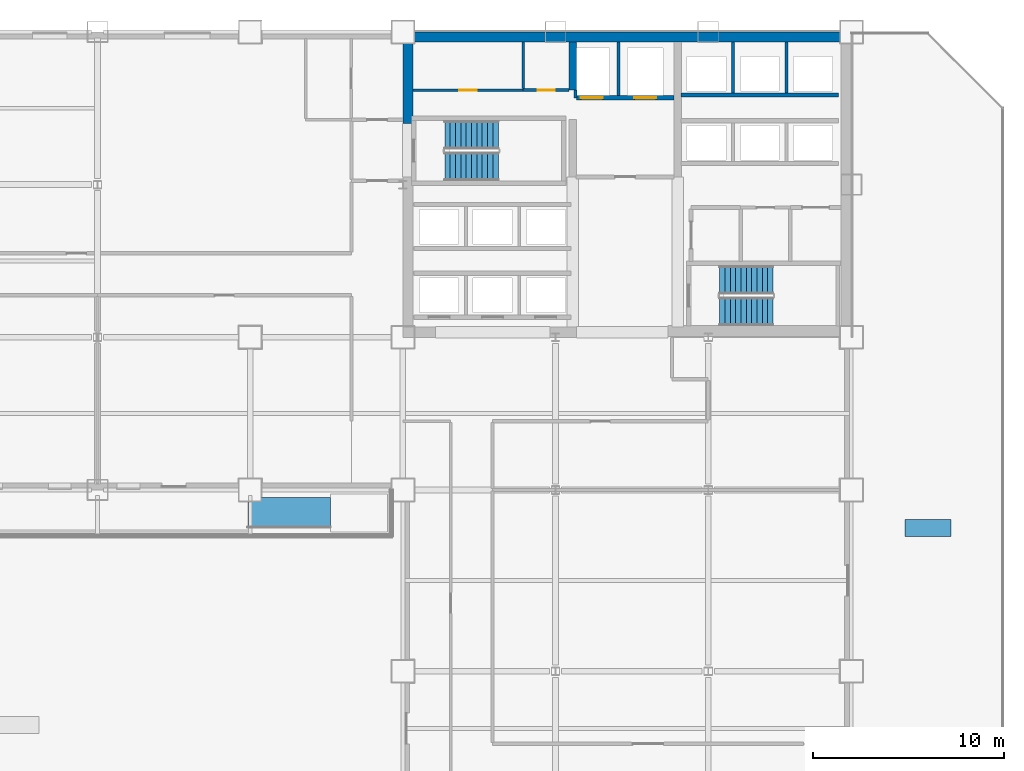
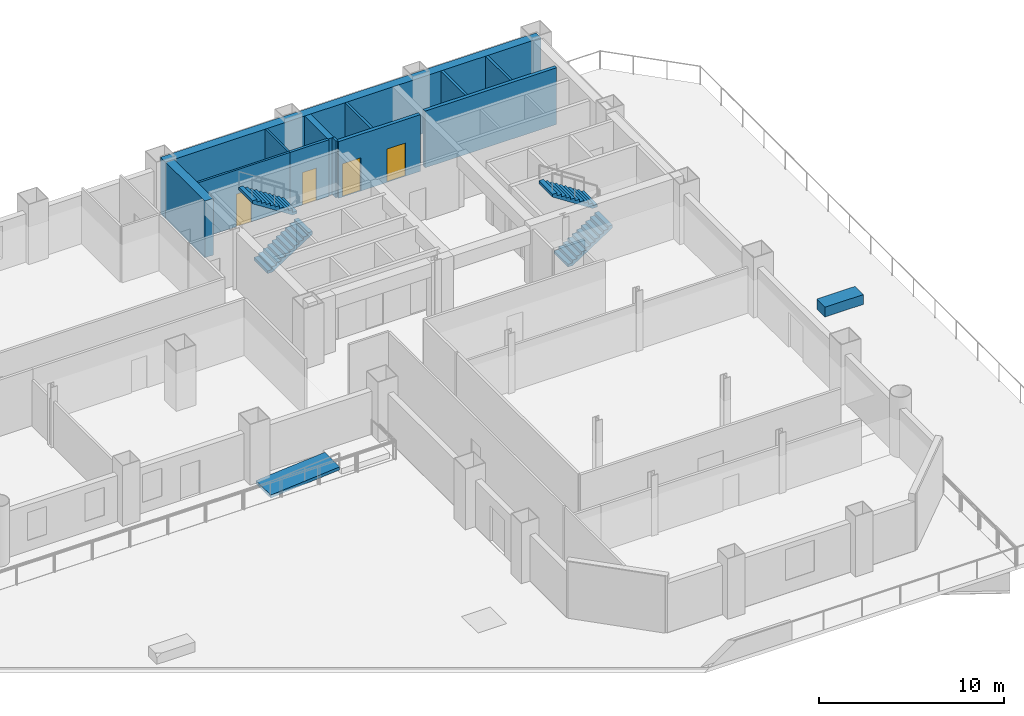
# One storey, part 7 of 11: 13 walls, 4 doors, 4 stair flights, 1 ramp flight, 4 openings, 3 elements without a shape of their own.
"""IFC4 building model written with IfcOpenShell, lengths in metres."""

from ifc_helpers import new_model, si_unit, direction, frame, frame_2d, origin, place, context, subcontext, project, spatial, polyline, rectangle, outline, extrude, material, layer, layer_set, type_object, element, fill, aggregate, save


model = new_model("IFC4")

# Units and contexts
model_context = context("Model", 3, precision=1e-05, world=origin(), true_north=direction((0.0, 1.0)))
body_context = subcontext(model_context, "Body", "Model", "MODEL_VIEW")
ifc_project = project(units=[si_unit("LENGTHUNIT", "METRE"), si_unit("AREAUNIT", "SQUARE_METRE"), si_unit("VOLUMEUNIT", "CUBIC_METRE"), si_unit("PLANEANGLEUNIT", "RADIAN"), si_unit("MASSUNIT", "GRAM", prefix="KILO")], contexts=[model_context])

# Site, building, storey
site_placement = place(None, origin())
site = spatial("IfcSite", under=ifc_project, at=site_placement, CompositionType="ELEMENT")
building_placement = place(site_placement, origin())
building = spatial("IfcBuilding", under=site, at=building_placement, Name="Qianrong Seaharbour Tower", CompositionType="ELEMENT")
storey_placement = place(building_placement, frame((0.0, 0.0, 28.199951171875)))
storey = spatial("IfcBuildingStorey", under=building, at=storey_placement, Name="L06", CompositionType="ELEMENT", Elevation=28.199951171875)

# Walls
ifc_material_1 = material(Name="Concrete C70/85", Category="concrete")
ifc_layer_1 = layer(ifc_material_1, 0.5400390625)
ifc_layer_set_1 = layer_set([ifc_layer_1], Name="Concrete C70/85")
wall_type_1 = type_object("IfcWallType", Name="WALL-CORE-540", PredefinedType="SHEAR", material=ifc_layer_set_1)
wall_1_placement = place(storey_placement, frame((40.5, 51.72998046875, 0.0), z_axis=(0.0, 0.0, 1.0), x_axis=(1.0, 0.0, 0.0)))
element("IfcWall", 1, at=wall_1_placement, inside=storey, type_object=wall_type_1, Name="L06 North Core Shear Wall", PredefinedType="SHEAR", context=body_context, shape_type="SweptSolid", body=[
    extrude(rectangle(XDim=23.5, YDim=0.5400390625, at=frame_2d((11.75, 0.0))), origin(), (0.0, 0.0, 1.0), 3.75),
])
wall_2_placement = place(storey_placement, frame((40.77001953125, 47.199951171875, 0.0), z_axis=(0.0, 0.0, 1.0), x_axis=(0.0, 1.0, 0.0)))
element("IfcWall", 2, at=wall_2_placement, inside=storey, type_object=wall_type_1, Name="L06 West Core Shear Wall North", PredefinedType="SHEAR", context=body_context, shape_type="SweptSolid", body=[
    extrude(rectangle(XDim=4.260009765625, YDim=0.5400390625, at=frame_2d((2.1298828125, 0.0))), origin(), (0.0, 0.0, 1.0), 3.75),
])
ifc_material_2 = material(Name="Concrete C60/75", Category="concrete")
ifc_layer_2 = layer(ifc_material_2, 0.3798828125)
ifc_layer_set_2 = layer_set([ifc_layer_2], Name="Concrete C60/75")
wall_type_2 = type_object("IfcWallType", Name="WALL-CORE-INT-380", PredefinedType="SHEAR", material=ifc_layer_set_2)
wall_3_placement = place(storey_placement, frame((49.39990234375, 48.949951171875, 0.0), z_axis=(0.0, 0.0, 1.0), x_axis=(0.0, 1.0, 0.0)))
element("IfcWall", 3, at=wall_3_placement, inside=storey, type_object=wall_type_2, Name="L06 Internal Core Shear Wall IW1N2", PredefinedType="SHEAR", context=body_context, shape_type="SweptSolid", body=[
    extrude(rectangle(XDim=2.510009765625, YDim=0.3798828125, at=frame_2d((1.2548828125, 0.0))), origin(), (0.0, 0.0, 1.0), 3.75),
])

# Wall, opening, door
ifc_material_3 = material(Name="Fire-rated acoustic gypsum board partition")
ifc_layer_3 = layer(ifc_material_3, 0.1650390625)
ifc_layer_set_3 = layer_set([ifc_layer_3], Name="Fire-rated acoustic gypsum board partition")
wall_type_3 = type_object("IfcWallType", Name="WALL-CORR-PART-165", PredefinedType="PARTITIONING", material=ifc_layer_set_3)
wall_4_placement = place(storey_placement, frame((46.800048828125, 48.949951171875, 0.0), z_axis=(0.0, 0.0, 1.0), x_axis=(1.0, 0.0, 0.0)))
wall_4 = element("IfcWall", 4, at=wall_4_placement, inside=storey, type_object=wall_type_3, Name="L06 Interior Partition Wall 008", PredefinedType="PARTITIONING", context=body_context, shape_type="SweptSolid", body=[
    extrude(rectangle(XDim=2.41796875, YDim=0.1650390625, at=frame_2d((1.208984375, 0.0))), origin(), (0.0, 0.0, 1.0), 3.75),
])
opening_1_placement = place(wall_4_placement, frame((0.759033203125, 0.0, 0.0)))
opening_1 = element("IfcOpeningElement", 5, at=opening_1_placement, cuts=wall_4, Name="Opening DS-01", PredefinedType="OPENING", context=body_context, shape_type="SweptSolid", body=[
    extrude(rectangle(XDim=0.89990234375, YDim=2.14990234375, at=frame_2d((0.449951171875, 1.074951171875))), frame((0.0, 0.092529296875, 0.0), z_axis=(0.0, -1.0, 0.0), x_axis=(1.0, 0.0, 0.0)), (0.0, 0.0, 1.0), 0.18505859375),
])
ifc_material_4 = material(Name="Acoustic timber and galvanized steel fire door assembly", Category="steel")
door_type_1 = type_object("IfcDoorType", Name="DOOR-STORE-900x2150", OperationType="NOTDEFINED", PredefinedType="DOOR", material=ifc_material_4)
door_1_placement = place(opening_1_placement, origin())
door_1 = element("IfcDoor", 6, at=door_1_placement, inside=storey, type_object=door_type_1, Name="L06 Janitor Store Room Door", OperationType="SINGLE_SWING_RIGHT", OverallHeight=2.14990234375, OverallWidth=0.89990234375, PredefinedType="DOOR", context=body_context, shape_type="SweptSolid", body=[
    extrude(rectangle(XDim=0.89990234375, YDim=2.14990234375, at=frame_2d((0.449951171875, 1.074951171875))), frame((0.0, 0.02490234375, 0.0), z_axis=(0.0, -1.0, 0.0), x_axis=(1.0, 0.0, 0.0)), (0.0, 0.0, 1.0), 0.050048828125),
])
fill(opening_1, door_1)

# Walls
ifc_material_5 = material(Name="White architectural precast concrete C45/55", Category="concrete")
ifc_layer_4 = layer(ifc_material_5, 0.89990234375)
ifc_layer_set_4 = layer_set([ifc_layer_4], Name="White architectural precast concrete C45/55")
wall_type_4 = type_object("IfcWallType", Name="WALL-PLANTER-KERB-210", PredefinedType="PARAPET", material=ifc_layer_set_4)
wall_5_placement = place(storey_placement, frame((66.81005859375, 26.0, 0.0), z_axis=(0.0, 0.0, 1.0), x_axis=(1.0, 0.0, 0.0)))
element("IfcWall", 7, at=wall_5_placement, inside=storey, type_object=wall_type_4, Name="L06 Sky Garden Structural Planter PLANTER 2", PredefinedType="PARAPET", context=body_context, shape_type="SweptSolid", body=[
    extrude(rectangle(XDim=2.39990234375, YDim=0.89990234375, at=frame_2d((1.199951171875, 0.0))), origin(), (0.0, 0.0, 1.0), 0.650146484375),
])
ifc_material_6 = material(Name="Fire-rated gypsum board on steel studs", Category="steel")
ifc_layer_5 = layer(ifc_material_6, 0.14990234375)
ifc_layer_set_5 = layer_set([ifc_layer_5], Name="Fire-rated gypsum board on steel studs")
wall_type_5 = type_object("IfcWallType", Name="WALL-SHAFT-DIV-150", PredefinedType="PARTITIONING", material=ifc_layer_set_5)
wall_6_placement = place(storey_placement, frame((51.800048828125, 48.669921875, 0.0), z_axis=(0.0, 0.0, 1.0), x_axis=(0.0, 1.0, 0.0)))
element("IfcWall", 8, at=wall_6_placement, inside=storey, type_object=wall_type_5, Name="L06 Firefighting Lift Shaft Divider Wall", PredefinedType="PARTITIONING", context=body_context, shape_type="SweptSolid", body=[
    extrude(rectangle(XDim=2.7900390625, YDim=0.14990234375, at=frame_2d((1.39501953125, 0.0))), origin(), (0.0, 0.0, 1.0), 3.75),
])
wall_7_placement = place(storey_placement, frame((49.550048828125, 48.550048828125, 0.0), z_axis=(0.0, 0.0, 1.0), x_axis=(0.0, 1.0, 0.0)))
element("IfcWall", 9, at=wall_7_placement, inside=storey, type_object=wall_type_5, Name="L06 Firefighting Lift Shaft West Return Wall", PredefinedType="PARTITIONING", context=body_context, shape_type="SweptSolid", body=[
    extrude(rectangle(XDim=0.39990234375, YDim=0.14990234375, at=frame_2d((0.199951171875, 0.0))), origin(), (0.0, 0.0, 1.0), 3.75),
])
for number, where, z_axis, x_axis, name in (
    (10, (57.800048828125, 48.81005859375, 0.0), (0.0, 0.0, 1.0), (0.0, 1.0, 0.0), "L06 P4 Lift Hoistway Divider 2"),
    (11, (60.60009765625, 48.81005859375, 0.0), (0.0, 0.0, 1.0), (0.0, 1.0, 0.0), "L06 P4 Lift Hoistway Divider 3"),
):
    element("IfcWall", number, at=place(storey_placement, frame(where, z_axis=z_axis, x_axis=x_axis)), inside=storey, type_object=wall_type_5, Name=name, PredefinedType="PARTITIONING", context=body_context, shape_type="SweptSolid", body=[
        extrude(rectangle(XDim=2.64990234375, YDim=0.14990234375, at=frame_2d((1.324951171875, 0.0))), origin(), (0.0, 0.0, 1.0), 3.75),
    ])

# Wall, openings, doors
ifc_layer_6 = layer(ifc_material_6, 0.219970703125)
ifc_layer_set_6 = layer_set([ifc_layer_6], Name="Fire-rated gypsum board on steel studs")
wall_type_6 = type_object("IfcWallType", Name="WALL-SHAFT-GYP220", PredefinedType="PARTITIONING", material=ifc_layer_set_6)
wall_8_placement = place(storey_placement, frame((54.7099609375, 48.550048828125, 0.0), z_axis=(0.0, 0.0, 1.0), x_axis=(-1.0, 0.0, 0.0)))
wall_8 = element("IfcWall", 12, at=wall_8_placement, inside=storey, type_object=wall_type_6, Name="L06 Firefighting Lift Shaft Front Wall", PredefinedType="PARTITIONING", context=body_context, shape_type="SweptSolid", body=[
    extrude(rectangle(XDim=5.119873046875, YDim=0.219970703125, at=frame_2d((2.56005859375, 0.0))), origin(), (0.0, 0.0, 1.0), 3.75),
])
opening_2_placement = place(wall_8_placement, frame((3.735107421875, 0.0, 0.0)))
opening_2 = element("IfcOpeningElement", 13, at=opening_2_placement, cuts=wall_8, Name="Opening LD-01", PredefinedType="OPENING", context=body_context, shape_type="SweptSolid", body=[
    extrude(rectangle(XDim=1.14990234375, YDim=2.199951171875, at=frame_2d((0.574951171875, 1.10009765625))), frame((0.0, 0.1201171875, 0.0), z_axis=(0.0, -1.0, 0.0), x_axis=(1.0, 0.0, 0.0)), (0.0, 0.0, 1.0), 0.239990234375),
])
opening_3_placement = place(wall_8_placement, frame((0.93505859375, 0.0, 0.0)))
opening_3 = element("IfcOpeningElement", 14, at=opening_3_placement, cuts=wall_8, Name="Opening LD-01", PredefinedType="OPENING", context=body_context, shape_type="SweptSolid", body=[
    extrude(rectangle(XDim=1.14990234375, YDim=2.199951171875, at=frame_2d((0.574951171875, 1.10009765625))), frame((0.0, 0.1201171875, 0.0), z_axis=(0.0, -1.0, 0.0), x_axis=(1.0, 0.0, 0.0)), (0.0, 0.0, 1.0), 0.239990234375),
])
ifc_material_7 = material(Name="Stainless steel SUS316L bi-parting lift landing door", Category="steel")
door_type_2 = type_object("IfcDoorType", Name="DOOR-LIFT-FF-1150x2200", OperationType="DOUBLE_DOOR_SLIDING", PredefinedType="DOOR", material=ifc_material_7)
door_2_placement = place(opening_2_placement, origin())
door_2 = element("IfcDoor", 15, at=door_2_placement, inside=storey, type_object=door_type_2, Name="L06 FL-1 Firefighting Lift Landing Door", OperationType="DOUBLE_DOOR_SLIDING", OverallHeight=2.199951171875, OverallWidth=1.14990234375, PredefinedType="DOOR", context=body_context, shape_type="SweptSolid", body=[
    extrude(rectangle(XDim=1.14990234375, YDim=2.199951171875, at=frame_2d((0.574951171875, 1.10009765625))), frame((0.0, 0.02490234375, 0.0), z_axis=(0.0, -1.0, 0.0), x_axis=(1.0, 0.0, 0.0)), (0.0, 0.0, 1.0), 0.050048828125),
])
fill(opening_2, door_2)
door_3_placement = place(opening_3_placement, origin())
door_3 = element("IfcDoor", 16, at=door_3_placement, inside=storey, type_object=door_type_2, Name="L06 FL-2 Firefighting Lift Landing Door", OperationType="DOUBLE_DOOR_SLIDING", OverallHeight=2.199951171875, OverallWidth=1.14990234375, PredefinedType="DOOR", context=body_context, shape_type="SweptSolid", body=[
    extrude(rectangle(XDim=1.14990234375, YDim=2.199951171875, at=frame_2d((0.574951171875, 1.10009765625))), frame((0.0, 0.02490234375, 0.0), z_axis=(0.0, -1.0, 0.0), x_axis=(1.0, 0.0, 0.0)), (0.0, 0.0, 1.0), 0.050048828125),
])
fill(opening_3, door_3)

# Wall
wall_9_placement = place(storey_placement, frame((63.320068359375, 48.699951171875, 0.0), z_axis=(0.0, 0.0, 1.0), x_axis=(-1.0, 0.0, 0.0)))
element("IfcWall", 17, at=wall_9_placement, inside=storey, type_object=wall_type_6, Name="L06 P4 Lift Hoistway Front Wall", PredefinedType="PARTITIONING", context=body_context, shape_type="SweptSolid", body=[
    extrude(rectangle(XDim=8.239990234375, YDim=0.219970703125, at=frame_2d((4.1201171875, 0.0))), origin(), (0.0, 0.0, 1.0), 3.75),
])

# Wall, opening, door
ifc_material_8 = material(Name="Water-resistant cement board sanitary partition")
ifc_layer_7 = layer(ifc_material_8, 0.1298828125)
ifc_layer_set_7 = layer_set([ifc_layer_7], Name="Water-resistant cement board sanitary partition")
wall_type_7 = type_object("IfcWallType", Name="WALL-WET-PART-130", PredefinedType="PARTITIONING", material=ifc_layer_set_7)
wall_10_placement = place(storey_placement, frame((41.0400390625, 48.949951171875, 0.0), z_axis=(0.0, 0.0, 1.0), x_axis=(1.0, 0.0, 0.0)))
wall_10 = element("IfcWall", 18, at=wall_10_placement, inside=storey, type_object=wall_type_7, Name="L06 Interior Partition Wall 007", PredefinedType="PARTITIONING", context=body_context, shape_type="SweptSolid", body=[
    extrude(rectangle(XDim=5.760009765625, YDim=0.1298828125, at=frame_2d((2.8798828125, 0.0))), origin(), (0.0, 0.0, 1.0), 3.75),
])
opening_4_placement = place(wall_10_placement, frame((2.419921875, 0.0, 0.0)))
opening_4 = element("IfcOpeningElement", 19, at=opening_4_placement, cuts=wall_10, Name="Opening DW-01", PredefinedType="OPENING", context=body_context, shape_type="SweptSolid", body=[
    extrude(rectangle(XDim=0.919921875, YDim=2.14990234375, at=frame_2d((0.4599609375, 1.074951171875))), frame((0.0, 0.074951171875, 0.0), z_axis=(0.0, -1.0, 0.0), x_axis=(1.0, 0.0, 0.0)), (0.0, 0.0, 1.0), 0.14990234375),
])
door_type_3 = type_object("IfcDoorType", Name="DOOR-WC-920x2150", OperationType="NOTDEFINED", PredefinedType="DOOR", material=ifc_material_4)
door_4_placement = place(opening_4_placement, origin())
door_4 = element("IfcDoor", 20, at=door_4_placement, inside=storey, type_object=door_type_3, Name="L06 Restroom WC Suite Door", OperationType="SINGLE_SWING_LEFT", OverallHeight=2.14990234375, OverallWidth=0.919921875, PredefinedType="DOOR", context=body_context, shape_type="SweptSolid", body=[
    extrude(rectangle(XDim=0.919921875, YDim=2.14990234375, at=frame_2d((0.4599609375, 1.074951171875))), frame((0.0, 0.02490234375, 0.0), z_axis=(0.0, -1.0, 0.0), x_axis=(1.0, 0.0, 0.0)), (0.0, 0.0, 1.0), 0.050048828125),
])
fill(opening_4, door_4)

# Wall
wall_11_placement = place(storey_placement, frame((46.800048828125, 51.4599609375, 0.0), z_axis=(0.0, 0.0, 1.0), x_axis=(0.0, -1.0, 0.0)))
element("IfcWall", 21, at=wall_11_placement, inside=storey, type_object=wall_type_7, Name="L06 Interior Partition Wall 014", PredefinedType="PARTITIONING", context=body_context, shape_type="SweptSolid", body=[
    extrude(rectangle(XDim=2.435546875, YDim=0.1298828125, at=frame_2d((1.2177734375, 0.0))), origin(), (0.0, 0.0, 1.0), 3.75),
])

# Stair, stair flights
ifc_material_9 = material(Name="Concrete C50/60", Category="concrete")
stair_type = type_object("IfcStairType", Name="STAIR-DOGLEG-1500-R22", PredefinedType="HALF_TURN_STAIR", material=ifc_material_9)
stair_1_placement = place(storey_placement, origin())
stair_1 = element("IfcStair", 22, at=stair_1_placement, inside=storey, type_object=stair_type, Name="L06 Protected Escape Stair ST-1", PredefinedType="HALF_TURN_STAIR")
stair_flight_type = type_object("IfcStairFlightType", Name="FLIGHT-STR-1500-R22", PredefinedType="STRAIGHT", material=ifc_material_9)
stair_flight_1_placement = place(storey_placement, frame((42.699951171875, 44.949951171875, 0.0), z_axis=(0.0, 0.0, 1.0), x_axis=(1.0, 0.0, 0.0)))
stair_flight_1 = element("IfcStairFlight", 23, at=stair_flight_1_placement, type_object=stair_flight_type, Name="ST-1 flight 1", NumberOfRisers=11, NumberOfTreads=10, PredefinedType="STRAIGHT", RiserHeight=0.181818182, TreadLength=0.28, context=body_context, shape_type="SweptSolid", body=[
    extrude(outline(polyline([(0.0, 0.0), (0.0, 0.181884765625), (0.280029296875, 0.181884765625), (0.280029296875, 0.363525390625), (0.56005859375, 0.363525390625), (0.56005859375, 0.54541015625), (0.840087890625, 0.54541015625), (0.840087890625, 0.727294921875), (1.1201171875, 0.727294921875), (1.1201171875, 0.9091796875), (1.39990234375, 0.9091796875), (1.39990234375, 1.0908203125), (1.679931640625, 1.0908203125), (1.679931640625, 1.272705078125), (1.9599609375, 1.272705078125), (1.9599609375, 1.45458984375), (2.239990234375, 1.45458984375), (2.239990234375, 1.636474609375), (2.52001953125, 1.636474609375), (2.52001953125, 1.818115234375), (2.800048828125, 1.818115234375), (2.800048828125, 2.0), (2.800048828125, 1.62744140625), (0.293701171875, 0.0), (0.0, 0.0)])), frame((0.0, 0.75, 0.0), z_axis=(0.0, -1.0, 0.0), x_axis=(1.0, 0.0, 0.0)), (0.0, 0.0, 1.0), 1.5),
])
stair_flight_2_placement = place(storey_placement, frame((45.5, 46.60009765625, 2.0), z_axis=(0.0, 0.0, 1.0), x_axis=(-1.0, 0.0, 0.0)))
stair_flight_2 = element("IfcStairFlight", 24, at=stair_flight_2_placement, type_object=stair_flight_type, Name="ST-1 flight 2", NumberOfRisers=11, NumberOfTreads=10, PredefinedType="STRAIGHT", RiserHeight=0.181818182, TreadLength=0.28, context=body_context, shape_type="SweptSolid", body=[
    extrude(outline(polyline([(0.0, 0.0), (0.0, 0.181884765625), (0.280029296875, 0.181884765625), (0.280029296875, 0.363525390625), (0.56005859375, 0.363525390625), (0.56005859375, 0.54541015625), (0.840087890625, 0.54541015625), (0.840087890625, 0.727294921875), (1.1201171875, 0.727294921875), (1.1201171875, 0.9091796875), (1.39990234375, 0.9091796875), (1.39990234375, 1.0908203125), (1.679931640625, 1.0908203125), (1.679931640625, 1.272705078125), (1.9599609375, 1.272705078125), (1.9599609375, 1.45458984375), (2.239990234375, 1.45458984375), (2.239990234375, 1.636474609375), (2.52001953125, 1.636474609375), (2.52001953125, 1.818115234375), (2.800048828125, 1.818115234375), (2.800048828125, 2.0), (2.800048828125, 1.62744140625), (0.293701171875, 0.0), (0.0, 0.0)])), frame((0.0, 0.75, 0.0), z_axis=(0.0, -1.0, 0.0), x_axis=(1.0, 0.0, 0.0)), (0.0, 0.0, 1.0), 1.5),
])
aggregate(stair_1, [stair_flight_1, stair_flight_2])

stair_2_placement = place(storey_placement, origin())
stair_2 = element("IfcStair", 25, at=stair_2_placement, inside=storey, type_object=stair_type, Name="L06 Protected Escape Stair ST-2", PredefinedType="HALF_TURN_STAIR")
stair_flight_3_placement = place(storey_placement, frame((57.10009765625, 37.35009765625, 0.0), z_axis=(0.0, 0.0, 1.0), x_axis=(1.0, 0.0, 0.0)))
stair_flight_3 = element("IfcStairFlight", 26, at=stair_flight_3_placement, type_object=stair_flight_type, Name="ST-2 flight 1", NumberOfRisers=11, NumberOfTreads=10, PredefinedType="STRAIGHT", RiserHeight=0.181818182, TreadLength=0.28, context=body_context, shape_type="SweptSolid", body=[
    extrude(outline(polyline([(0.0, 0.0), (0.0, 0.181884765625), (0.280029296875, 0.181884765625), (0.280029296875, 0.363525390625), (0.56005859375, 0.363525390625), (0.56005859375, 0.54541015625), (0.840087890625, 0.54541015625), (0.840087890625, 0.727294921875), (1.1201171875, 0.727294921875), (1.1201171875, 0.9091796875), (1.39990234375, 0.9091796875), (1.39990234375, 1.0908203125), (1.679931640625, 1.0908203125), (1.679931640625, 1.272705078125), (1.9599609375, 1.272705078125), (1.9599609375, 1.45458984375), (2.239990234375, 1.45458984375), (2.239990234375, 1.636474609375), (2.52001953125, 1.636474609375), (2.52001953125, 1.818115234375), (2.800048828125, 1.818115234375), (2.800048828125, 2.0), (2.800048828125, 1.62744140625), (0.293701171875, 0.0), (0.0, 0.0)])), frame((0.0, 0.75, 0.0), z_axis=(0.0, -1.0, 0.0), x_axis=(1.0, 0.0, 0.0)), (0.0, 0.0, 1.0), 1.5),
])
stair_flight_4_placement = place(storey_placement, frame((59.89990234375, 39.0, 2.0), z_axis=(0.0, 0.0, 1.0), x_axis=(-1.0, 0.0, 0.0)))
stair_flight_4 = element("IfcStairFlight", 27, at=stair_flight_4_placement, type_object=stair_flight_type, Name="ST-2 flight 2", NumberOfRisers=11, NumberOfTreads=10, PredefinedType="STRAIGHT", RiserHeight=0.181818182, TreadLength=0.28, context=body_context, shape_type="SweptSolid", body=[
    extrude(outline(polyline([(0.0, 0.0), (0.0, 0.181884765625), (0.280029296875, 0.181884765625), (0.280029296875, 0.363525390625), (0.56005859375, 0.363525390625), (0.56005859375, 0.54541015625), (0.840087890625, 0.54541015625), (0.840087890625, 0.727294921875), (1.1201171875, 0.727294921875), (1.1201171875, 0.9091796875), (1.39990234375, 0.9091796875), (1.39990234375, 1.0908203125), (1.679931640625, 1.0908203125), (1.679931640625, 1.272705078125), (1.9599609375, 1.272705078125), (1.9599609375, 1.45458984375), (2.239990234375, 1.45458984375), (2.239990234375, 1.636474609375), (2.52001953125, 1.636474609375), (2.52001953125, 1.818115234375), (2.800048828125, 1.818115234375), (2.800048828125, 2.0), (2.800048828125, 1.62744140625), (0.293701171875, 0.0), (0.0, 0.0)])), frame((0.0, 0.75, 0.0), z_axis=(0.0, -1.0, 0.0), x_axis=(1.0, 0.0, 0.0)), (0.0, 0.0, 1.0), 1.5),
])
aggregate(stair_2, [stair_flight_3, stair_flight_4])

# Ramp, ramp flight
ramp_type = type_object("IfcRampType", Name="RAMP-RIBBON-GARDEN", PredefinedType="STRAIGHT_RUN_RAMP", material=ifc_material_5)
ramp_placement = place(storey_placement, origin())
ramp = element("IfcRamp", 28, at=ramp_placement, inside=storey, type_object=ramp_type, Name="L06 Harbourfront Garden Ribbon Ramp", PredefinedType="STRAIGHT_RUN_RAMP")
ifc_layer_8 = layer(ifc_material_5, 0.199951171875)
ifc_layer_set_8 = layer_set([ifc_layer_8], Name="White architectural precast concrete C45/55")
ramp_flight_type = type_object("IfcRampFlightType", Name="RAMP-FLIGHT-GARDEN-200", PredefinedType="STRAIGHT", material=ifc_layer_set_8)
ramp_flight_placement = place(storey_placement, frame((32.3798828125, 26.800048828125, 0.0), z_axis=(0.0, 0.0, 1.0), x_axis=(1.0, 0.0, 0.0)))
ramp_flight = element("IfcRampFlight", 29, at=ramp_flight_placement, type_object=ramp_flight_type, Name="L06 Harbourfront Garden Ribbon Ramp Flight", PredefinedType="STRAIGHT", context=body_context, shape_type="SweptSolid", body=[
    extrude(outline(polyline([(0.0, 0.0), (4.320068359375, 0.360107421875), (4.320068359375, 0.16015625), (0.0, -0.199951171875), (0.0, 0.0)])), frame((0.0, 0.800048828125, 0.0), z_axis=(0.0, -1.0, 0.0), x_axis=(1.0, 0.0, 0.0)), (0.0, 0.0, 1.0), 1.60009765625),
])
aggregate(ramp, [ramp_flight])

save(model, "model.ifc")
